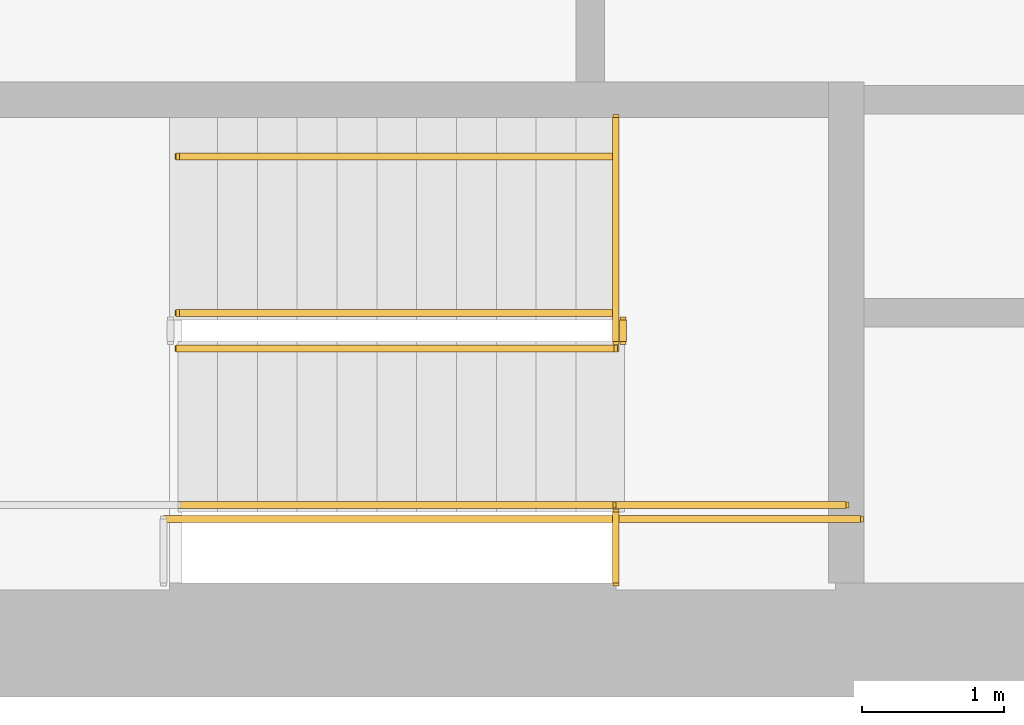
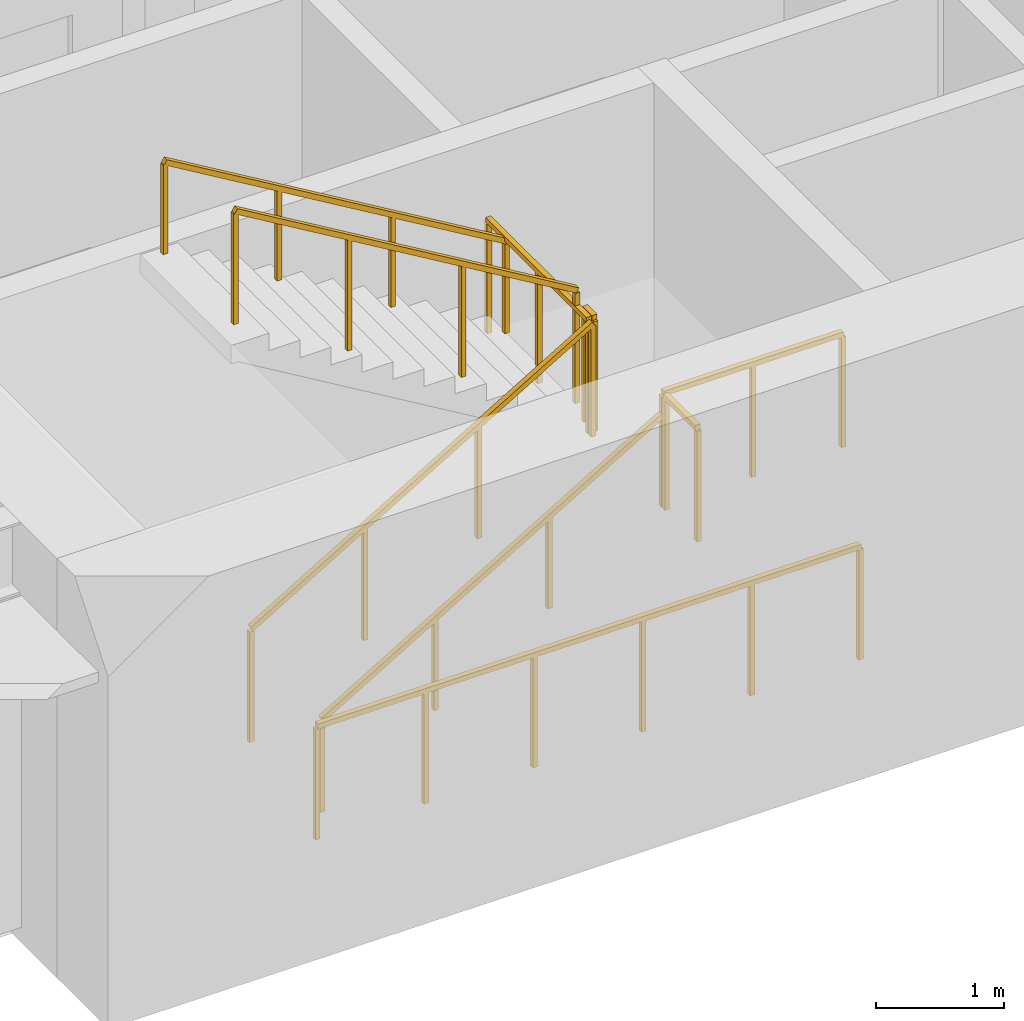
# One storey, part 10 of 12: 9 railings.
"""IFC4 building model written with IfcOpenShell, lengths in metres."""

from ifc_helpers import new_model, si_unit, direction, frame, origin, origin_2d, place, context, subcontext, project, spatial, rectangle, extrude, material, type_object, element, save


model = new_model("IFC4")

# Units and contexts
model_context = context("Model", 3, precision=1e-05, world=origin(), true_north=direction((0.0, 1.0)))
body_context = subcontext(model_context, "Body", "Model", "MODEL_VIEW")
ifc_project = project(units=[si_unit("LENGTHUNIT", "METRE"), si_unit("AREAUNIT", "SQUARE_METRE"), si_unit("VOLUMEUNIT", "CUBIC_METRE"), si_unit("PLANEANGLEUNIT", "RADIAN"), si_unit("MASSUNIT", "GRAM", prefix="KILO")], contexts=[model_context])

# Site, building, storey
site_placement = place(None, origin())
site = spatial("IfcSite", under=ifc_project, at=site_placement, CompositionType="ELEMENT")
building_placement = place(site_placement, origin())
building = spatial("IfcBuilding", under=site, at=building_placement, Name="Sennacour Bend Tower", CompositionType="ELEMENT")
storey_placement = place(building_placement, frame((0.0, 0.0, 257.0)))
storey = spatial("IfcBuildingStorey", under=building, at=storey_placement, Name="L59", CompositionType="ELEMENT", Elevation=257.0)

# Railings
ifc_material = material(Name="Stainless steel", Category="steel")
railing_type_1 = type_object("IfcRailingType", Name="RL-GUARD-1100", PredefinedType="GUARDRAIL", material=ifc_material)
railing_1_placement = place(storey_placement, frame((56.699951171875, 2.449951171875, 0.166748046875)))
element("IfcRailing", 1, at=railing_1_placement, inside=storey, type_object=railing_type_1, Name="L59 SA1 stair guard 1", PredefinedType="GUARDRAIL", context=body_context, shape_type="SweptSolid", body=[
    extrude(rectangle(XDim=0.048095703125, YDim=0.048095703125, at=origin_2d()), frame((0.0, 0.0, 1.076171875), z_axis=(0.859308565015, 0.0, 0.511457515432), x_axis=(0.0, 1.0, 0.0)), (0.0, 0.0, 1.0), 3.58447265625),
    extrude(rectangle(XDim=0.0419921875, YDim=0.0419921875, at=origin_2d()), origin(), (0.0, 0.0, 1.0), 1.052001953125),
    extrude(rectangle(XDim=0.0419921875, YDim=0.0419921875, at=origin_2d()), frame((1.026611328125, 0.0, 0.611083984375)), (0.0, 0.0, 1.0), 1.052001953125),
    extrude(rectangle(XDim=0.0419921875, YDim=0.0419921875, at=origin_2d()), frame((2.053466796875, 0.0, 1.22216796875)), (0.0, 0.0, 1.0), 1.052001953125),
    extrude(rectangle(XDim=0.0419921875, YDim=0.0419921875, at=origin_2d()), frame((3.080078125, 0.0, 1.833251953125)), (0.0, 0.0, 1.0), 1.052001953125),
])
railing_2_placement = place(storey_placement, frame((59.830078125, 2.5, 2.0)))
element("IfcRailing", 2, at=railing_2_placement, inside=storey, type_object=railing_type_1, Name="L59 SA1 stair guard 2", PredefinedType="GUARDRAIL", context=body_context, shape_type="SweptSolid", body=[
    extrude(rectangle(XDim=0.048095703125, YDim=0.048095703125, at=origin_2d()), frame((0.0, 0.0, 1.076171875), z_axis=(0.0, 1.0, 0.0), x_axis=(-1.0, 0.0, 0.0)), (0.0, 0.0, 1.0), 0.14990234375),
    extrude(rectangle(XDim=0.0419921875, YDim=0.0419921875, at=origin_2d()), origin(), (0.0, 0.0, 1.0), 1.052001953125),
    extrude(rectangle(XDim=0.0419921875, YDim=0.0419921875, at=origin_2d()), frame((0.0, 0.14990234375, 0.0)), (0.0, 0.0, 1.0), 1.052001953125),
])
railing_3_placement = place(storey_placement, frame((59.780029296875, 1.35009765625, 2.0)))
element("IfcRailing", 3, at=railing_3_placement, inside=storey, type_object=railing_type_1, Name="L59 SA1 stair guard 3", PredefinedType="GUARDRAIL", context=body_context, shape_type="SweptSolid", body=[
    extrude(rectangle(XDim=0.048095703125, YDim=0.048095703125, at=origin_2d()), frame((0.0, 0.0, 1.076171875), z_axis=(1.0, 0.0, 0.0), x_axis=(0.0, 1.0, 0.0)), (0.0, 0.0, 1.0), 1.619873046875),
    extrude(rectangle(XDim=0.0419921875, YDim=0.0419921875, at=origin_2d()), origin(), (0.0, 0.0, 1.0), 1.052001953125),
    extrude(rectangle(XDim=0.0419921875, YDim=0.0419921875, at=origin_2d()), frame((0.81005859375, 0.0, 0.0)), (0.0, 0.0, 1.0), 1.052001953125),
    extrude(rectangle(XDim=0.0419921875, YDim=0.0419921875, at=origin_2d()), frame((1.619873046875, 0.0, 0.0)), (0.0, 0.0, 1.0), 1.052001953125),
])
railing_4_placement = place(storey_placement, frame((59.780029296875, 2.699951171875, 2.166748046875)))
element("IfcRailing", 4, at=railing_4_placement, inside=storey, type_object=railing_type_1, Name="L59 SA1 stair guard 4", PredefinedType="GUARDRAIL", context=body_context, shape_type="SweptSolid", body=[
    extrude(rectangle(XDim=0.048095703125, YDim=0.048095703125, at=origin_2d()), frame((0.0, 0.0, 1.076171875), z_axis=(-0.859308565015, 0.0, 0.511457515432), x_axis=(0.0, -1.0, 0.0)), (0.0, 0.0, 1.0), 3.58447265625),
    extrude(rectangle(XDim=0.0419921875, YDim=0.0419921875, at=origin_2d()), origin(), (0.0, 0.0, 1.0), 1.052001953125),
    extrude(rectangle(XDim=0.0419921875, YDim=0.0419921875, at=origin_2d()), frame((-1.026611328125, 0.0, 0.611083984375)), (0.0, 0.0, 1.0), 1.052001953125),
    extrude(rectangle(XDim=0.0419921875, YDim=0.0419921875, at=origin_2d()), frame((-2.053466796875, 0.0, 1.22216796875)), (0.0, 0.0, 1.0), 1.052001953125),
    extrude(rectangle(XDim=0.0419921875, YDim=0.0419921875, at=origin_2d()), frame((-3.080078125, 0.0, 1.833251953125)), (0.0, 0.0, 1.0), 1.052001953125),
])
railing_5_placement = place(storey_placement, frame((56.60009765625, 1.25, 0.0)))
element("IfcRailing", 5, at=railing_5_placement, inside=storey, type_object=railing_type_1, Name="L59 SA1 stair guard 8", PredefinedType="GUARDRAIL", context=body_context, shape_type="SweptSolid", body=[
    extrude(rectangle(XDim=0.048095703125, YDim=0.048095703125, at=origin_2d()), frame((0.0, 0.0, 1.076171875), z_axis=(1.0, 0.0, 0.0), x_axis=(0.0, 1.0, 0.0)), (0.0, 0.0, 1.0), 4.89990234375),
    extrude(rectangle(XDim=0.0419921875, YDim=0.0419921875, at=origin_2d()), origin(), (0.0, 0.0, 1.0), 1.052001953125),
    extrude(rectangle(XDim=0.0419921875, YDim=0.0419921875, at=origin_2d()), frame((0.97998046875, 0.0, 0.0)), (0.0, 0.0, 1.0), 1.052001953125),
    extrude(rectangle(XDim=0.0419921875, YDim=0.0419921875, at=origin_2d()), frame((1.9599609375, 0.0, 0.0)), (0.0, 0.0, 1.0), 1.052001953125),
    extrude(rectangle(XDim=0.0419921875, YDim=0.0419921875, at=origin_2d()), frame((2.93994140625, 0.0, 0.0)), (0.0, 0.0, 1.0), 1.052001953125),
    extrude(rectangle(XDim=0.0419921875, YDim=0.0419921875, at=origin_2d()), frame((3.919921875, 0.0, 0.0)), (0.0, 0.0, 1.0), 1.052001953125),
    extrude(rectangle(XDim=0.0419921875, YDim=0.0419921875, at=origin_2d()), frame((4.89990234375, 0.0, 0.0)), (0.0, 0.0, 1.0), 1.052001953125),
])
railing_6_placement = place(storey_placement, frame((59.780029296875, 0.800048828125, 2.0)))
element("IfcRailing", 6, at=railing_6_placement, inside=storey, type_object=railing_type_1, Name="L59 SA1 landing edge guard 88", PredefinedType="GUARDRAIL", context=body_context, shape_type="SweptSolid", body=[
    extrude(rectangle(XDim=0.048095703125, YDim=0.048095703125, at=origin_2d()), frame((0.0, 0.0, 1.076171875), z_axis=(0.0, 1.0, 0.0), x_axis=(-1.0, 0.0, 0.0)), (0.0, 0.0, 1.0), 0.5),
    extrude(rectangle(XDim=0.0419921875, YDim=0.0419921875, at=origin_2d()), origin(), (0.0, 0.0, 1.0), 1.052001953125),
    extrude(rectangle(XDim=0.0419921875, YDim=0.0419921875, at=origin_2d()), frame((0.0, 0.5, 0.0)), (0.0, 0.0, 1.0), 1.052001953125),
])
railing_7_placement = place(storey_placement, frame((59.780029296875, 2.5, 2.0)))
element("IfcRailing", 7, at=railing_7_placement, inside=storey, type_object=railing_type_1, Name="L59 SA1 landing edge guard 89", PredefinedType="GUARDRAIL", context=body_context, shape_type="SweptSolid", body=[
    extrude(rectangle(XDim=0.048095703125, YDim=0.048095703125, at=origin_2d()), frame((0.0, 0.0, 1.076171875), z_axis=(0.0, 1.0, 0.0), x_axis=(-1.0, 0.0, 0.0)), (0.0, 0.0, 1.0), 1.574951171875),
    extrude(rectangle(XDim=0.0419921875, YDim=0.0419921875, at=origin_2d()), origin(), (0.0, 0.0, 1.0), 1.052001953125),
    extrude(rectangle(XDim=0.0419921875, YDim=0.0419921875, at=origin_2d()), frame((0.0, 0.78759765625, 0.0)), (0.0, 0.0, 1.0), 1.052001953125),
    extrude(rectangle(XDim=0.0419921875, YDim=0.0419921875, at=origin_2d()), frame((0.0, 1.574951171875, 0.0)), (0.0, 0.0, 1.0), 1.052001953125),
])
railing_type_2 = type_object("IfcRailingType", Name="RL-HANDRAIL-900", PredefinedType="HANDRAIL", material=ifc_material)
railing_8_placement = place(storey_placement, frame((56.699951171875, 1.35009765625, 0.166748046875)))
element("IfcRailing", 8, at=railing_8_placement, inside=storey, type_object=railing_type_2, Name="L59 SA1 stair handrail 1", PredefinedType="HANDRAIL", context=body_context, shape_type="SweptSolid", body=[
    extrude(rectangle(XDim=0.048095703125, YDim=0.048095703125, at=origin_2d()), frame((0.0, 0.0, 0.8759765625), z_axis=(0.859308565015, 0.0, 0.511457515432), x_axis=(0.0, 1.0, 0.0)), (0.0, 0.0, 1.0), 3.58447265625),
    extrude(rectangle(XDim=0.0419921875, YDim=0.0419921875, at=origin_2d()), origin(), (0.0, 0.0, 1.0), 0.851806640625),
    extrude(rectangle(XDim=0.0419921875, YDim=0.0419921875, at=origin_2d()), frame((1.026611328125, 0.0, 0.611083984375)), (0.0, 0.0, 1.0), 0.851806640625),
    extrude(rectangle(XDim=0.0419921875, YDim=0.0419921875, at=origin_2d()), frame((2.053466796875, 0.0, 1.22216796875)), (0.0, 0.0, 1.0), 0.851806640625),
    extrude(rectangle(XDim=0.0419921875, YDim=0.0419921875, at=origin_2d()), frame((3.080078125, 0.0, 1.833251953125)), (0.0, 0.0, 1.0), 0.851806640625),
])
railing_9_placement = place(storey_placement, frame((59.780029296875, 3.800048828125, 2.166748046875)))
element("IfcRailing", 9, at=railing_9_placement, inside=storey, type_object=railing_type_2, Name="L59 SA1 stair handrail 2", PredefinedType="HANDRAIL", context=body_context, shape_type="SweptSolid", body=[
    extrude(rectangle(XDim=0.048095703125, YDim=0.048095703125, at=origin_2d()), frame((0.0, 0.0, 0.8759765625), z_axis=(-0.859308565015, 0.0, 0.511457515432), x_axis=(0.0, -1.0, 0.0)), (0.0, 0.0, 1.0), 3.58447265625),
    extrude(rectangle(XDim=0.0419921875, YDim=0.0419921875, at=origin_2d()), origin(), (0.0, 0.0, 1.0), 0.851806640625),
    extrude(rectangle(XDim=0.0419921875, YDim=0.0419921875, at=origin_2d()), frame((-1.026611328125, 0.0, 0.611083984375)), (0.0, 0.0, 1.0), 0.851806640625),
    extrude(rectangle(XDim=0.0419921875, YDim=0.0419921875, at=origin_2d()), frame((-2.053466796875, 0.0, 1.22216796875)), (0.0, 0.0, 1.0), 0.851806640625),
    extrude(rectangle(XDim=0.0419921875, YDim=0.0419921875, at=origin_2d()), frame((-3.080078125, 0.0, 1.833251953125)), (0.0, 0.0, 1.0), 0.851806640625),
])

save(model, "model.ifc")
